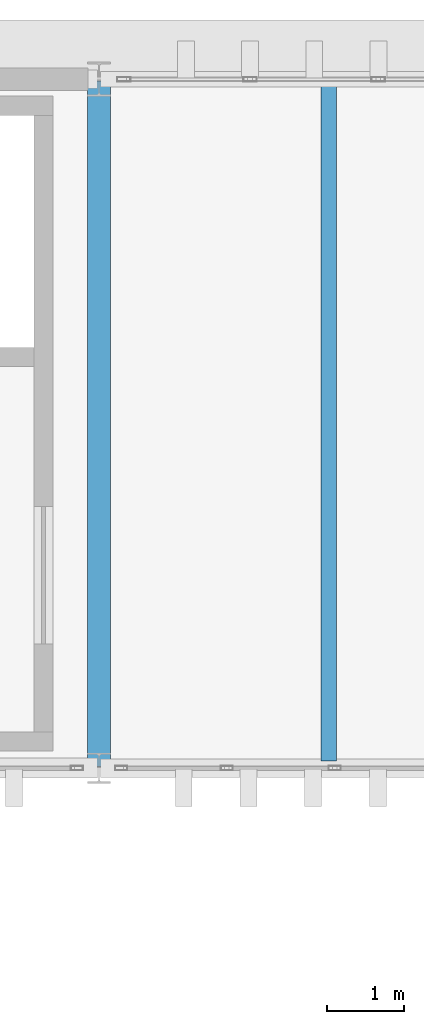
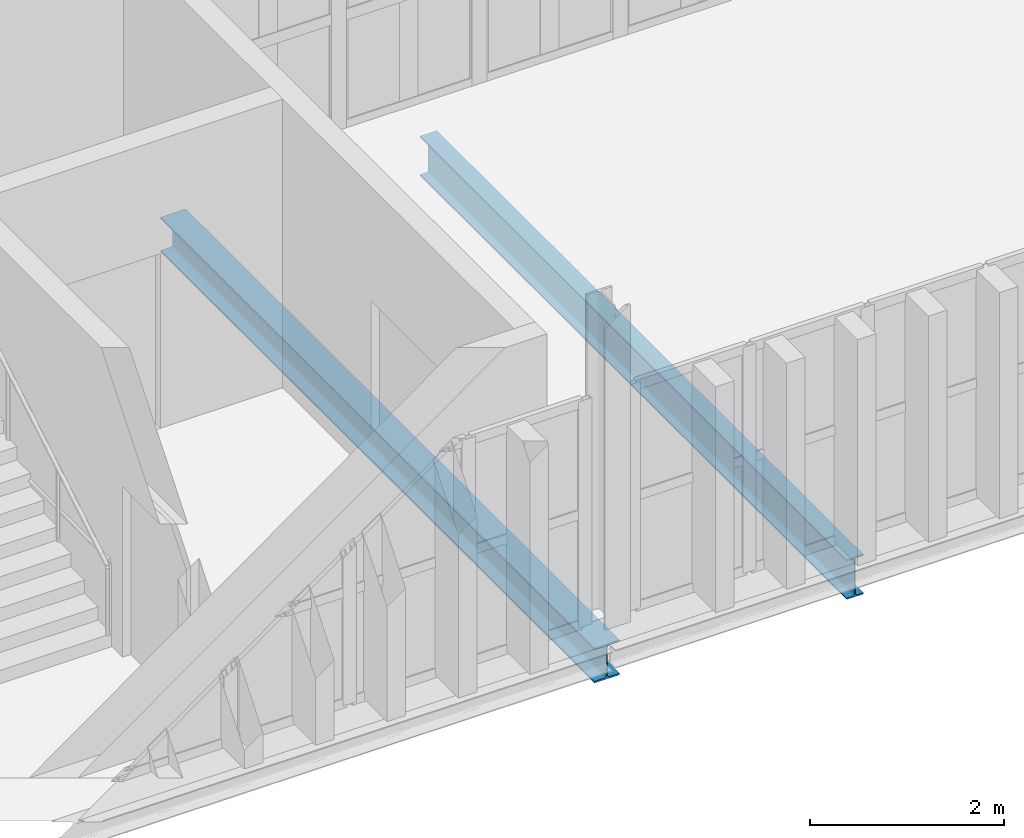
# One storey, part 60 of 102: 2 beams.
"""IFC4 building model written with IfcOpenShell, lengths in metres."""

import ifcopenshell
import ifcopenshell.guid

model = None  # the IFC model being written
_history = None  # IfcOwnerHistory: only IFC2X3 demands one
_inside = {}  # id of a spatial element -> (the spatial element, [elements in it])
_under = {}  # id of a project, library or spatial element -> (it, [spatial elements below it])
_declared = {}  # id of a project -> (the project, [libraries it declares])
_typed = {}  # id of a type object -> (the type object, [elements of that type])
_made_of = {}  # id of a material, layer set ... -> (it, [elements and type objects made of it])


def new_model(schema):
    """Start an empty IFC model of exactly this schema.

    Asked for "IFC4X3", IfcOpenShell would pick the latest addendum, in which some entities
    have other attributes; the version numbers below select the first issue.
    IFC2X3 requires an IfcOwnerHistory on every rooted entity: one is made here for all.
    """
    global model, _history
    if schema == "IFC4X3":
        model = ifcopenshell.file(schema_version=(4, 3, 0, 0))
    else:
        model = ifcopenshell.file(schema=schema)
    _inside.clear()
    _under.clear()
    _declared.clear()
    _typed.clear()
    _made_of.clear()
    _history = None
    if model.schema == "IFC2X3":
        org = make("IfcOrganization", Name="unknown")
        user = make(
            "IfcPersonAndOrganization",
            ThePerson=make("IfcPerson", FamilyName="unknown"),
            TheOrganization=org,
        )
        app = make(
            "IfcApplication",
            ApplicationDeveloper=org,
            Version="unknown",
            ApplicationFullName="unknown",
            ApplicationIdentifier="unknown",
        )
        _history = make(
            "IfcOwnerHistory",
            OwningUser=user,
            OwningApplication=app,
            ChangeAction="ADDED",
            CreationDate=0,
        )
    return model


def make(cls, **values):
    """One entity of the class cls with the attributes given. An attribute that is None is left unset."""
    return model.create_entity(
        cls, **{name: value for name, value in values.items() if value is not None}
    )


def rooted(cls, **values):
    """An entity with a GlobalId (a new one), such as an element, a storey or a relation."""
    return make(cls, GlobalId=ifcopenshell.guid.new(), OwnerHistory=_history, **values)


def si_unit(unit_type, name, prefix=None):
    """IfcSIUnit, for example si_unit("LENGTHUNIT", "METRE", prefix="MILLI")."""
    return make("IfcSIUnit", UnitType=unit_type, Prefix=prefix, Name=name)


def assignment(units):
    """IfcUnitAssignment: the units of a project."""
    return None if units is None else make("IfcUnitAssignment", Units=units)


def point(xyz):
    """IfcCartesianPoint."""
    return None if xyz is None else make("IfcCartesianPoint", Coordinates=xyz)


def direction(xyz):
    """IfcDirection."""
    return None if xyz is None else make("IfcDirection", DirectionRatios=xyz)


def frame(location, z_axis=None, x_axis=None):
    """IfcAxis2Placement3D, a coordinate frame: its origin and axes. An axis left out is left unset."""
    return make(
        "IfcAxis2Placement3D",
        Location=point(location),
        Axis=direction(z_axis),
        RefDirection=direction(x_axis),
    )


def frame_2d(location, x_axis=None):
    """IfcAxis2Placement2D, a coordinate frame in the plane: its origin and x axis."""
    return make(
        "IfcAxis2Placement2D", Location=point(location), RefDirection=direction(x_axis)
    )


def origin():
    """The frame at (0, 0, 0) with its axes left unset."""
    return frame((0.0, 0.0, 0.0))


def origin_2d():
    """The frame at (0, 0) in the plane with its x axis left unset."""
    return frame_2d((0.0, 0.0))


def place(relative_to, where):
    """IfcLocalPlacement: puts the frame where relative to a parent placement (None: the world)."""
    return make(
        "IfcLocalPlacement", PlacementRelTo=relative_to, RelativePlacement=where
    )


def context(
    kind, dimensions, precision=None, world=None, true_north=None, identifier=None
):
    """IfcGeometricRepresentationContext, for example the 3D "Model" context."""
    return make(
        "IfcGeometricRepresentationContext",
        ContextIdentifier=identifier,
        ContextType=kind,
        CoordinateSpaceDimension=dimensions,
        Precision=precision,
        WorldCoordinateSystem=world,
        TrueNorth=true_north,
    )


def subcontext(parent, identifier, kind, view, scale=None):
    """IfcGeometricRepresentationSubContext, for example "Body" below "Model"."""
    return make(
        "IfcGeometricRepresentationSubContext",
        ContextIdentifier=identifier,
        ContextType=kind,
        ParentContext=parent,
        TargetScale=scale,
        TargetView=view,
    )


def project(units=None, contexts=None):
    """IfcProject with its units and contexts."""
    return rooted(
        "IfcProject",
        Name="project",
        RepresentationContexts=contexts,
        UnitsInContext=assignment(units),
    )


def spatial(cls, under=None, at=None, **own):
    """A site, building, storey or space (cls), placed at a placement, below another one or the project."""
    s = rooted(cls, ObjectPlacement=at, **own)
    if under is not None:
        _under.setdefault(under.id(), (under, []))[1].append(s)
    return s


def profile(cls, at=None, kind="AREA", **sizes):
    """A parametric profile (cls). Its sizes go by their IFC names, for example OverallWidth=200.0."""
    return make(cls, ProfileType=kind, Position=at, **sizes)


def i_section(**sizes):
    """IfcIShapeProfileDef."""
    return profile("IfcIShapeProfileDef", **sizes)


def extrude(swept, where, along, depth):
    """IfcExtrudedAreaSolid: the profile swept, set in the frame where, extruded along a direction by depth."""
    return make(
        "IfcExtrudedAreaSolid",
        SweptArea=swept,
        Position=where,
        ExtrudedDirection=direction(along),
        Depth=depth,
    )


def shape(context_of_items, identifier, shape_type, items):
    """IfcShapeRepresentation: the items that make up one representation, for example the "Body"."""
    return make(
        "IfcShapeRepresentation",
        ContextOfItems=context_of_items,
        RepresentationIdentifier=identifier,
        RepresentationType=shape_type,
        Items=items,
    )


def material(Name=None, Category=None):
    """IfcMaterial."""
    return make("IfcMaterial", Name=Name, Category=Category)


def material_profile(
    of_material, cross_section, Name=None, Category=None, Priority=None
):
    """IfcMaterialProfile: a cross section and its material."""
    return make(
        "IfcMaterialProfile",
        Name=Name,
        Material=of_material,
        Profile=cross_section,
        Priority=Priority,
        Category=Category,
    )


def profile_set(profiles, Name=None, composite=None):
    """IfcMaterialProfileSet."""
    return make(
        "IfcMaterialProfileSet",
        Name=Name,
        MaterialProfiles=profiles,
        CompositeProfile=composite,
    )


def made_of(thing, what):
    """Note that an element or type object is made of a material, layer set ...; save() writes the relation."""
    if what is not None:
        _made_of.setdefault(what.id(), (what, []))[1].append(thing)
    return thing


def type_object(cls, material=None, **own):
    """A type object (cls), such as IfcWallType, which elements share."""
    return made_of(rooted(cls, **own), material)


def element(
    cls,
    number,
    at=None,
    inside=None,
    cuts=None,
    type_object=None,
    material=None,
    context=None,
    identifier="Body",
    shape_type=None,
    held_by="IfcProductDefinitionShape",
    body=None,
    shapes=None,
    **own,
):
    """One element of the class cls, such as IfcWall. Its Tag is "e" and its number.

    at: its placement. inside: the storey or other place that contains it. cuts: it is an
    opening in that element (IfcRelVoidsElement). A single representation is given by context,
    identifier, shape_type and body (its items); several are given by shapes. held_by: the class
    of the entity that holds the representations. save() writes the other relations.
    """
    e = rooted(cls, Tag="e%d" % number, ObjectPlacement=at, **own)
    if body is not None:
        shapes = [shape(context, identifier, shape_type, body)]
    if shapes is not None:
        e.Representation = make(held_by, Representations=shapes)
    if inside is not None:
        _inside.setdefault(inside.id(), (inside, []))[1].append(e)
    if cuts is not None:
        rooted(
            "IfcRelVoidsElement", RelatingBuildingElement=cuts, RelatedOpeningElement=e
        )
    if type_object is not None:
        _typed.setdefault(type_object.id(), (type_object, []))[1].append(e)
    return made_of(e, material)


def aggregate(whole, parts):
    """IfcRelAggregates: a whole, such as a stair, and the parts it consists of."""
    return rooted("IfcRelAggregates", RelatingObject=whole, RelatedObjects=parts)


def save(model, path):
    """Write the relations noted so far, then the file.

    IfcRelAggregates (storeys below a building ...), IfcRelContainedInSpatialStructure (elements
    in a storey), IfcRelDefinesByType, IfcRelAssociatesMaterial and IfcRelDeclares: one each for
    every whole, place, type object, material and project.
    """
    for whole, parts in _under.values():
        aggregate(whole, parts)
    for where, things in _inside.values():
        rooted(
            "IfcRelContainedInSpatialStructure",
            RelatedElements=things,
            RelatingStructure=where,
        )
    for kind, things in _typed.values():
        rooted("IfcRelDefinesByType", RelatedObjects=things, RelatingType=kind)
    for what, things in _made_of.values():
        rooted("IfcRelAssociatesMaterial", RelatedObjects=things, RelatingMaterial=what)
    for by, libraries in _declared.values():
        rooted("IfcRelDeclares", RelatingContext=by, RelatedDefinitions=libraries)
    model.write(path)


model = new_model("IFC4")

# Units and contexts
model_context = context("Model", 3, precision=1e-05, world=origin(), true_north=direction((0.0, 1.0)))
body_context = subcontext(model_context, "Body", "Model", "MODEL_VIEW")
ifc_project = project(units=[si_unit("LENGTHUNIT", "METRE"), si_unit("AREAUNIT", "SQUARE_METRE"), si_unit("VOLUMEUNIT", "CUBIC_METRE"), si_unit("PLANEANGLEUNIT", "RADIAN"), si_unit("MASSUNIT", "GRAM", prefix="KILO")], contexts=[model_context])

# Site, building, storey
site_placement = place(None, origin())
site = spatial("IfcSite", under=ifc_project, at=site_placement, CompositionType="ELEMENT")
building_placement = place(site_placement, origin())
building = spatial("IfcBuilding", under=site, at=building_placement, Name="Barlavento Convention Centre", CompositionType="ELEMENT")
storey_placement = place(building_placement, frame((0.0, 0.0, 22.800048828125)))
storey = spatial("IfcBuildingStorey", under=building, at=storey_placement, Name="L04", CompositionType="ELEMENT", Elevation=22.800048828125)

# Beams
ifc_material = material(Name="Steel S355", Category="steel")
ifc_material_profile_1 = material_profile(ifc_material, i_section(OverallWidth=0.199951171875, OverallDepth=0.5, WebThickness=0.01025390625, FlangeThickness=0.01611328125, FilletRadius=0.02099609375, at=origin_2d()), Name="IPE 500")
ifc_profile_set_1 = profile_set([ifc_material_profile_1], Name="Steel S355")
beam_type_1 = type_object("IfcBeamType", Name="STR-BM-JST-IPE500", PredefinedType="JOIST", material=ifc_profile_set_1)
beam_1_placement = place(storey_placement, frame((156.0, 90.094970703125, -0.610107421875), z_axis=(0.0, 1.0, 0.0), x_axis=(-1.0, 0.0, 0.0)))
element("IfcBeam", 1, at=beam_1_placement, inside=storey, type_object=beam_type_1, Name="L04 composite floor joist SJ02", PredefinedType="JOIST", context=body_context, shape_type="SweptSolid", body=[
    extrude(i_section(OverallWidth=0.199951171875, OverallDepth=0.5, WebThickness=0.01025390625, FlangeThickness=0.01611328125, FilletRadius=0.02099609375, at=origin_2d()), origin(), (0.0, 0.0, 1.0), 8.81005859375),
])
ifc_material_profile_2 = material_profile(ifc_material, i_section(OverallWidth=0.300048828125, OverallDepth=0.43994140625, WebThickness=0.011474609375, FlangeThickness=0.02099609375, FilletRadius=0.027099609375, at=origin_2d()), Name="HEA 450")
ifc_profile_set_2 = profile_set([ifc_material_profile_2], Name="Steel S355")
beam_type_2 = type_object("IfcBeamType", Name="STR-BM-PRI-HEA450", PredefinedType="BEAM", material=ifc_profile_set_2)
beam_2_placement = place(storey_placement, frame((153.0, 90.02001953125, -0.580078125), z_axis=(0.0, 1.0, 0.0), x_axis=(-1.0, 0.0, 0.0)))
element("IfcBeam", 2, at=beam_2_placement, inside=storey, type_object=beam_type_2, Name="L04 grid girder BG21", PredefinedType="BEAM", context=body_context, shape_type="SweptSolid", body=[
    extrude(i_section(OverallWidth=0.300048828125, OverallDepth=0.43994140625, WebThickness=0.011474609375, FlangeThickness=0.02099609375, FilletRadius=0.027099609375, at=origin_2d()), origin(), (0.0, 0.0, 1.0), 8.9599609375),
])

save(model, "model.ifc")
